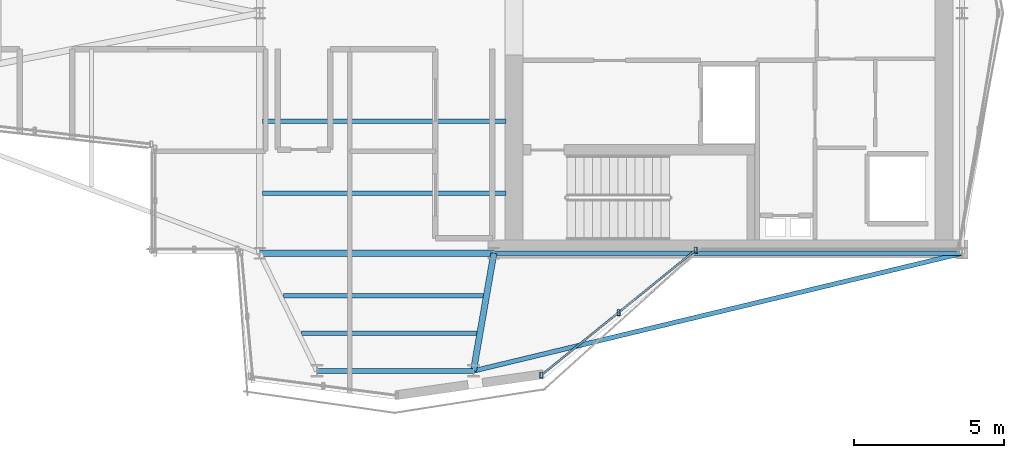
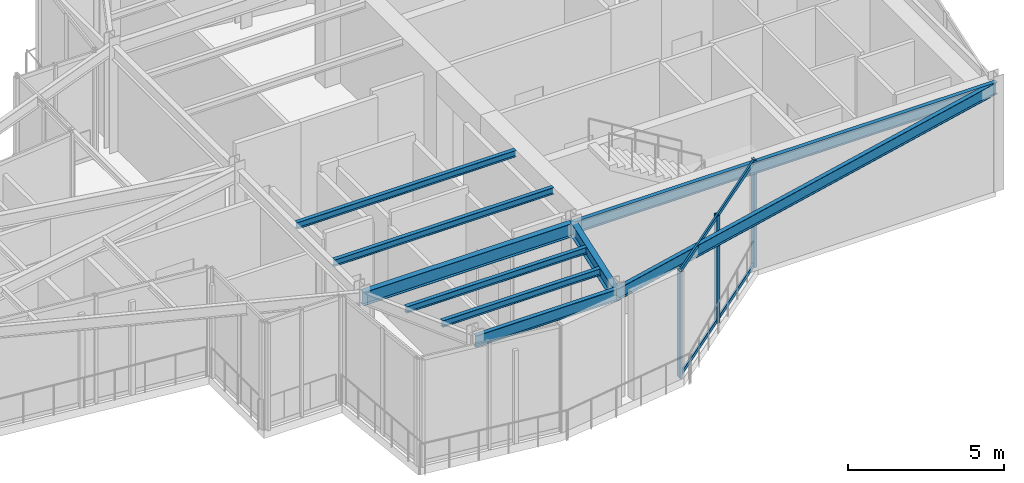
# One storey, part 3 of 14: 9 beams, 5 members, 1 element without a shape of its own.
"""IFC4 building model written with IfcOpenShell, lengths in metres."""

import ifcopenshell
import ifcopenshell.guid

model = None  # the IFC model being written
_history = None  # IfcOwnerHistory: only IFC2X3 demands one
_inside = {}  # id of a spatial element -> (the spatial element, [elements in it])
_under = {}  # id of a project, library or spatial element -> (it, [spatial elements below it])
_declared = {}  # id of a project -> (the project, [libraries it declares])
_typed = {}  # id of a type object -> (the type object, [elements of that type])
_made_of = {}  # id of a material, layer set ... -> (it, [elements and type objects made of it])


def new_model(schema):
    """Start an empty IFC model of exactly this schema.

    Asked for "IFC4X3", IfcOpenShell would pick the latest addendum, in which some entities
    have other attributes; the version numbers below select the first issue.
    IFC2X3 requires an IfcOwnerHistory on every rooted entity: one is made here for all.
    """
    global model, _history
    if schema == "IFC4X3":
        model = ifcopenshell.file(schema_version=(4, 3, 0, 0))
    else:
        model = ifcopenshell.file(schema=schema)
    _inside.clear()
    _under.clear()
    _declared.clear()
    _typed.clear()
    _made_of.clear()
    _history = None
    if model.schema == "IFC2X3":
        org = make("IfcOrganization", Name="unknown")
        user = make(
            "IfcPersonAndOrganization",
            ThePerson=make("IfcPerson", FamilyName="unknown"),
            TheOrganization=org,
        )
        app = make(
            "IfcApplication",
            ApplicationDeveloper=org,
            Version="unknown",
            ApplicationFullName="unknown",
            ApplicationIdentifier="unknown",
        )
        _history = make(
            "IfcOwnerHistory",
            OwningUser=user,
            OwningApplication=app,
            ChangeAction="ADDED",
            CreationDate=0,
        )
    return model


def make(cls, **values):
    """One entity of the class cls with the attributes given. An attribute that is None is left unset."""
    return model.create_entity(
        cls, **{name: value for name, value in values.items() if value is not None}
    )


def rooted(cls, **values):
    """An entity with a GlobalId (a new one), such as an element, a storey or a relation."""
    return make(cls, GlobalId=ifcopenshell.guid.new(), OwnerHistory=_history, **values)


def si_unit(unit_type, name, prefix=None):
    """IfcSIUnit, for example si_unit("LENGTHUNIT", "METRE", prefix="MILLI")."""
    return make("IfcSIUnit", UnitType=unit_type, Prefix=prefix, Name=name)


def assignment(units):
    """IfcUnitAssignment: the units of a project."""
    return None if units is None else make("IfcUnitAssignment", Units=units)


def point(xyz):
    """IfcCartesianPoint."""
    return None if xyz is None else make("IfcCartesianPoint", Coordinates=xyz)


def direction(xyz):
    """IfcDirection."""
    return None if xyz is None else make("IfcDirection", DirectionRatios=xyz)


def frame(location, z_axis=None, x_axis=None):
    """IfcAxis2Placement3D, a coordinate frame: its origin and axes. An axis left out is left unset."""
    return make(
        "IfcAxis2Placement3D",
        Location=point(location),
        Axis=direction(z_axis),
        RefDirection=direction(x_axis),
    )


def frame_2d(location, x_axis=None):
    """IfcAxis2Placement2D, a coordinate frame in the plane: its origin and x axis."""
    return make(
        "IfcAxis2Placement2D", Location=point(location), RefDirection=direction(x_axis)
    )


def origin():
    """The frame at (0, 0, 0) with its axes left unset."""
    return frame((0.0, 0.0, 0.0))


def origin_2d():
    """The frame at (0, 0) in the plane with its x axis left unset."""
    return frame_2d((0.0, 0.0))


def place(relative_to, where):
    """IfcLocalPlacement: puts the frame where relative to a parent placement (None: the world)."""
    return make(
        "IfcLocalPlacement", PlacementRelTo=relative_to, RelativePlacement=where
    )


def context(
    kind, dimensions, precision=None, world=None, true_north=None, identifier=None
):
    """IfcGeometricRepresentationContext, for example the 3D "Model" context."""
    return make(
        "IfcGeometricRepresentationContext",
        ContextIdentifier=identifier,
        ContextType=kind,
        CoordinateSpaceDimension=dimensions,
        Precision=precision,
        WorldCoordinateSystem=world,
        TrueNorth=true_north,
    )


def subcontext(parent, identifier, kind, view, scale=None):
    """IfcGeometricRepresentationSubContext, for example "Body" below "Model"."""
    return make(
        "IfcGeometricRepresentationSubContext",
        ContextIdentifier=identifier,
        ContextType=kind,
        ParentContext=parent,
        TargetScale=scale,
        TargetView=view,
    )


def project(units=None, contexts=None):
    """IfcProject with its units and contexts."""
    return rooted(
        "IfcProject",
        Name="project",
        RepresentationContexts=contexts,
        UnitsInContext=assignment(units),
    )


def spatial(cls, under=None, at=None, **own):
    """A site, building, storey or space (cls), placed at a placement, below another one or the project."""
    s = rooted(cls, ObjectPlacement=at, **own)
    if under is not None:
        _under.setdefault(under.id(), (under, []))[1].append(s)
    return s


def profile(cls, at=None, kind="AREA", **sizes):
    """A parametric profile (cls). Its sizes go by their IFC names, for example OverallWidth=200.0."""
    return make(cls, ProfileType=kind, Position=at, **sizes)


def hollow_rectangle(**sizes):
    """IfcRectangleHollowProfileDef."""
    return profile("IfcRectangleHollowProfileDef", **sizes)


def i_section(**sizes):
    """IfcIShapeProfileDef."""
    return profile("IfcIShapeProfileDef", **sizes)


def extrude(swept, where, along, depth):
    """IfcExtrudedAreaSolid: the profile swept, set in the frame where, extruded along a direction by depth."""
    return make(
        "IfcExtrudedAreaSolid",
        SweptArea=swept,
        Position=where,
        ExtrudedDirection=direction(along),
        Depth=depth,
    )


def shape(context_of_items, identifier, shape_type, items):
    """IfcShapeRepresentation: the items that make up one representation, for example the "Body"."""
    return make(
        "IfcShapeRepresentation",
        ContextOfItems=context_of_items,
        RepresentationIdentifier=identifier,
        RepresentationType=shape_type,
        Items=items,
    )


def material(Name=None, Category=None):
    """IfcMaterial."""
    return make("IfcMaterial", Name=Name, Category=Category)


def layer(
    of_material, thickness, ventilated=None, Name=None, Category=None, Priority=None
):
    """IfcMaterialLayer: one layer of a wall or slab, of a material (None: an air gap)."""
    return make(
        "IfcMaterialLayer",
        Material=of_material,
        LayerThickness=thickness,
        IsVentilated=ventilated,
        Name=Name,
        Category=Category,
        Priority=Priority,
    )


def layer_set(layers, Name=None):
    """IfcMaterialLayerSet."""
    return make("IfcMaterialLayerSet", MaterialLayers=layers, LayerSetName=Name)


def material_profile(
    of_material, cross_section, Name=None, Category=None, Priority=None
):
    """IfcMaterialProfile: a cross section and its material."""
    return make(
        "IfcMaterialProfile",
        Name=Name,
        Material=of_material,
        Profile=cross_section,
        Priority=Priority,
        Category=Category,
    )


def profile_set(profiles, Name=None, composite=None):
    """IfcMaterialProfileSet."""
    return make(
        "IfcMaterialProfileSet",
        Name=Name,
        MaterialProfiles=profiles,
        CompositeProfile=composite,
    )


def made_of(thing, what):
    """Note that an element or type object is made of a material, layer set ...; save() writes the relation."""
    if what is not None:
        _made_of.setdefault(what.id(), (what, []))[1].append(thing)
    return thing


def type_object(cls, material=None, **own):
    """A type object (cls), such as IfcWallType, which elements share."""
    return made_of(rooted(cls, **own), material)


def element(
    cls,
    number,
    at=None,
    inside=None,
    cuts=None,
    type_object=None,
    material=None,
    context=None,
    identifier="Body",
    shape_type=None,
    held_by="IfcProductDefinitionShape",
    body=None,
    shapes=None,
    **own,
):
    """One element of the class cls, such as IfcWall. Its Tag is "e" and its number.

    at: its placement. inside: the storey or other place that contains it. cuts: it is an
    opening in that element (IfcRelVoidsElement). A single representation is given by context,
    identifier, shape_type and body (its items); several are given by shapes. held_by: the class
    of the entity that holds the representations. save() writes the other relations.
    """
    e = rooted(cls, Tag="e%d" % number, ObjectPlacement=at, **own)
    if body is not None:
        shapes = [shape(context, identifier, shape_type, body)]
    if shapes is not None:
        e.Representation = make(held_by, Representations=shapes)
    if inside is not None:
        _inside.setdefault(inside.id(), (inside, []))[1].append(e)
    if cuts is not None:
        rooted(
            "IfcRelVoidsElement", RelatingBuildingElement=cuts, RelatedOpeningElement=e
        )
    if type_object is not None:
        _typed.setdefault(type_object.id(), (type_object, []))[1].append(e)
    return made_of(e, material)


def aggregate(whole, parts):
    """IfcRelAggregates: a whole, such as a stair, and the parts it consists of."""
    return rooted("IfcRelAggregates", RelatingObject=whole, RelatedObjects=parts)


def save(model, path):
    """Write the relations noted so far, then the file.

    IfcRelAggregates (storeys below a building ...), IfcRelContainedInSpatialStructure (elements
    in a storey), IfcRelDefinesByType, IfcRelAssociatesMaterial and IfcRelDeclares: one each for
    every whole, place, type object, material and project.
    """
    for whole, parts in _under.values():
        aggregate(whole, parts)
    for where, things in _inside.values():
        rooted(
            "IfcRelContainedInSpatialStructure",
            RelatedElements=things,
            RelatingStructure=where,
        )
    for kind, things in _typed.values():
        rooted("IfcRelDefinesByType", RelatedObjects=things, RelatingType=kind)
    for what, things in _made_of.values():
        rooted("IfcRelAssociatesMaterial", RelatedObjects=things, RelatingMaterial=what)
    for by, libraries in _declared.values():
        rooted("IfcRelDeclares", RelatingContext=by, RelatedDefinitions=libraries)
    model.write(path)


model = new_model("IFC4")

# Units and contexts
model_context = context("Model", 3, precision=1e-05, world=origin(), true_north=direction((0.0, 1.0)))
body_context = subcontext(model_context, "Body", "Model", "MODEL_VIEW")
ifc_project = project(units=[si_unit("LENGTHUNIT", "METRE"), si_unit("AREAUNIT", "SQUARE_METRE"), si_unit("VOLUMEUNIT", "CUBIC_METRE"), si_unit("PLANEANGLEUNIT", "RADIAN"), si_unit("MASSUNIT", "GRAM", prefix="KILO")], contexts=[model_context])

# Site, building, storey
site_placement = place(None, origin())
site = spatial("IfcSite", under=ifc_project, at=site_placement, CompositionType="ELEMENT")
building_placement = place(site_placement, origin())
building = spatial("IfcBuilding", under=site, at=building_placement, Name="Veymaron Broadcast Tower", CompositionType="ELEMENT")
storey_placement = place(building_placement, frame((0.0, 0.0, 332.39990234375)))
storey = spatial("IfcBuildingStorey", under=building, at=storey_placement, Name="L78", CompositionType="ELEMENT", Elevation=332.39990234375)

# Beams
ifc_material_1 = material(Name="Structural steel ASTM A992 Gr 50", Category="steel")
ifc_material_profile_1 = material_profile(ifc_material_1, i_section(OverallWidth=0.208984375, OverallDepth=0.528076171875, WebThickness=0.009521484375, FlangeThickness=0.01318359375, at=origin_2d()), Name="W530X82")
ifc_profile_set_1 = profile_set([ifc_material_profile_1], Name="Structural steel ASTM A992 Gr 50")
beam_type_1 = type_object("IfcBeamType", Name="BM-FG4", PredefinedType="BEAM", material=ifc_profile_set_1)
beam_1_placement = place(storey_placement, frame((31.199951171875, 16.0, 3.916015625), z_axis=(1.0, 0.0, 0.0), x_axis=(0.0, 1.0, 0.0)))
element("IfcBeam", 1, at=beam_1_placement, inside=storey, type_object=beam_type_1, Name="L78 primary structural floor girder", PredefinedType="BEAM", context=body_context, shape_type="SweptSolid", body=[
    extrude(i_section(OverallWidth=0.208984375, OverallDepth=0.528076171875, WebThickness=0.009521484375, FlangeThickness=0.01318359375, at=origin_2d()), origin(), (0.0, 0.0, 1.0), 7.800048828125),
])
beam_2_placement = place(storey_placement, frame((39.0, 16.0, 3.916015625), z_axis=(-0.170903490874, -0.985287773601, 0.0), x_axis=(0.985287773601, -0.170903490874, 0.0)))
element("IfcBeam", 2, at=beam_2_placement, inside=storey, type_object=beam_type_1, Name="L78 primary structural floor girder", PredefinedType="BEAM", context=body_context, shape_type="SweptSolid", body=[
    extrude(i_section(OverallWidth=0.208984375, OverallDepth=0.528076171875, WebThickness=0.009521484375, FlangeThickness=0.01318359375, at=origin_2d()), origin(), (0.0, 0.0, 1.0), 3.978515625),
])
ifc_material_profile_2 = material_profile(ifc_material_1, i_section(OverallWidth=0.14599609375, OverallDepth=0.258056640625, WebThickness=0.006103515625, FlangeThickness=0.009033203125, at=origin_2d()), Name="W250X33")
ifc_profile_set_2 = profile_set([ifc_material_profile_2], Name="Structural steel ASTM A992 Gr 50")
beam_type_2 = type_object("IfcBeamType", Name="BM-JS4", PredefinedType="JOIST", material=ifc_profile_set_2)
beam_3_placement = place(storey_placement, frame((31.9853515625, 14.5888671875, 4.051025390625), z_axis=(1.0, 0.0, 0.0), x_axis=(0.0, 1.0, 0.0)))
element("IfcBeam", 3, at=beam_3_placement, inside=storey, type_object=beam_type_2, Name="L78 Arm-C secondary joist 1", PredefinedType="JOIST", context=body_context, shape_type="SweptSolid", body=[
    extrude(i_section(OverallWidth=0.14599609375, OverallDepth=0.258056640625, WebThickness=0.006103515625, FlangeThickness=0.009033203125, at=origin_2d()), origin(), (0.0, 0.0, 1.0), 6.669921875),
])
beam_4_placement = place(storey_placement, frame((32.5947265625, 13.33447265625, 4.051025390625), z_axis=(1.0, 0.0, 0.0), x_axis=(0.0, 1.0, 0.0)))
element("IfcBeam", 4, at=beam_4_placement, inside=storey, type_object=beam_type_2, Name="L78 Arm-C secondary joist 2", PredefinedType="JOIST", context=body_context, shape_type="SweptSolid", body=[
    extrude(i_section(OverallWidth=0.14599609375, OverallDepth=0.258056640625, WebThickness=0.006103515625, FlangeThickness=0.009033203125, at=origin_2d()), origin(), (0.0, 0.0, 1.0), 5.8427734375),
])
for number, where, z_axis, x_axis, name in (
    (5, (31.300048828125, 18.0, 4.051025390625), (1.0, 0.0, 0.0), (0.0, 1.0, 0.0), "L78 Hub secondary joist 1"),
    (6, (31.300048828125, 20.39990234375, 4.051025390625), (1.0, 0.0, 0.0), (0.0, 1.0, 0.0), "L78 Hub secondary joist 2"),
):
    element("IfcBeam", number, at=place(storey_placement, frame(where, z_axis=z_axis, x_axis=x_axis)), inside=storey, type_object=beam_type_2, Name=name, PredefinedType="JOIST", context=body_context, shape_type="SweptSolid", body=[
        extrude(i_section(OverallWidth=0.14599609375, OverallDepth=0.258056640625, WebThickness=0.006103515625, FlangeThickness=0.009033203125, at=origin_2d()), origin(), (0.0, 0.0, 1.0), 8.099853515625),
    ])
ifc_material_profile_3 = material_profile(ifc_material_1, i_section(OverallWidth=0.154052734375, OverallDepth=0.458984375, WebThickness=0.009033203125, FlangeThickness=0.015380859375, at=origin_2d()), Name="W460X68")
ifc_profile_set_3 = profile_set([ifc_material_profile_3], Name="Structural steel ASTM A992 Gr 50")
beam_type_3 = type_object("IfcBeamType", Name="BM-SP2", PredefinedType="SPANDREL", material=ifc_profile_set_3)
beam_5_placement = place(storey_placement, frame((39.0, 16.0, 3.95068359375), z_axis=(1.0, 0.0, 0.0), x_axis=(0.0, 1.0, 0.0)))
element("IfcBeam", 7, at=beam_5_placement, inside=storey, type_object=beam_type_3, Name="L78 primary structural floor girder", PredefinedType="SPANDREL", context=body_context, shape_type="SweptSolid", body=[
    extrude(i_section(OverallWidth=0.154052734375, OverallDepth=0.458984375, WebThickness=0.009033203125, FlangeThickness=0.015380859375, at=origin_2d()), origin(), (0.0, 0.0, 1.0), 15.60009765625),
])
beam_6_placement = place(storey_placement, frame((54.60009765625, 16.0, 3.95068359375), z_axis=(-0.972214727981, -0.23409084283, 0.0), x_axis=(0.23409084283, -0.972214727981, 0.0)))
element("IfcBeam", 8, at=beam_6_placement, inside=storey, type_object=beam_type_3, Name="L78 primary structural floor girder", PredefinedType="SPANDREL", context=body_context, shape_type="SweptSolid", body=[
    extrude(i_section(OverallWidth=0.154052734375, OverallDepth=0.458984375, WebThickness=0.009033203125, FlangeThickness=0.015380859375, at=origin_2d()), origin(), (0.0, 0.0, 1.0), 16.745361328125),
])
beam_7_placement = place(storey_placement, frame((33.10400390625, 12.080078125, 3.95068359375), z_axis=(1.0, 0.0, 0.0), x_axis=(0.0, 1.0, 0.0)))
element("IfcBeam", 9, at=beam_7_placement, inside=storey, type_object=beam_type_3, Name="L78 primary structural floor girder", PredefinedType="SPANDREL", context=body_context, shape_type="SweptSolid", body=[
    extrude(i_section(OverallWidth=0.154052734375, OverallDepth=0.458984375, WebThickness=0.009033203125, FlangeThickness=0.015380859375, at=origin_2d()), origin(), (0.0, 0.0, 1.0), 5.216064453125),
])

# Curtain wall, members
ifc_material_2 = material(Name="Anodised aluminium AA 6063-T6 and laminated low-E dark glass", Category="aluminium")
ifc_layer = layer(ifc_material_2, 0.179931640625)
ifc_layer_set = layer_set([ifc_layer], Name="Anodised aluminium AA 6063-T6 and laminated low-E dark glass")
curtain_wall_type = type_object("IfcCurtainWallType", Name="CW-SYS-07", PredefinedType="NOTDEFINED", material=ifc_layer_set)
curtain_wall_placement = place(storey_placement, origin())
curtain_wall = element("IfcCurtainWall", 10, at=curtain_wall_placement, inside=storey, type_object=curtain_wall_type, Name="L78 dark-glass curtain wall CW-L78-E20-1", PredefinedType="NOTDEFINED")
ifc_material_3 = material(Name="Anodised aluminium AA 6063-T6", Category="aluminium")
ifc_material_profile_4 = material_profile(ifc_material_3, hollow_rectangle(XDim=0.10009765625, YDim=0.199951171875, WallThickness=0.010009765625, at=origin_2d()), Name="RHS200X100X10")
ifc_profile_set_4 = profile_set([ifc_material_profile_4], Name="Anodised aluminium AA 6063-T6")
member_type_1 = type_object("IfcMemberType", Name="CW-MUL-01", PredefinedType="MULLION", material=ifc_profile_set_4)
member_1_placement = place(storey_placement, frame((40.58349609375, 11.94091796875, 0.0), z_axis=(0.0, 0.0, 1.0), x_axis=(1.0, 0.0, 0.0)))
member_1 = element("IfcMember", 11, at=member_1_placement, type_object=member_type_1, Name="CW-L78-E20-1 mullion 0", PredefinedType="MULLION", context=body_context, shape_type="SweptSolid", body=[
    extrude(hollow_rectangle(XDim=0.10009765625, YDim=0.199951171875, WallThickness=0.010009765625, at=origin_2d()), origin(), (0.0, 0.0, 1.0), 4.18017578125),
])
member_2_placement = place(storey_placement, frame((43.154296875, 14.02490234375, 0.0), z_axis=(0.0, 0.0, 1.0), x_axis=(1.0, 0.0, 0.0)))
member_2 = element("IfcMember", 12, at=member_2_placement, type_object=member_type_1, Name="CW-L78-E20-1 mullion 1", PredefinedType="MULLION", context=body_context, shape_type="SweptSolid", body=[
    extrude(hollow_rectangle(XDim=0.10009765625, YDim=0.199951171875, WallThickness=0.010009765625, at=origin_2d()), origin(), (0.0, 0.0, 1.0), 4.18017578125),
])
member_3_placement = place(storey_placement, frame((45.724853515625, 16.10888671875, 0.0), z_axis=(0.0, 0.0, 1.0), x_axis=(1.0, 0.0, 0.0)))
member_3 = element("IfcMember", 13, at=member_3_placement, type_object=member_type_1, Name="CW-L78-E20-1 mullion 2", PredefinedType="MULLION", context=body_context, shape_type="SweptSolid", body=[
    extrude(hollow_rectangle(XDim=0.10009765625, YDim=0.199951171875, WallThickness=0.010009765625, at=origin_2d()), origin(), (0.0, 0.0, 1.0), 4.18017578125),
])
ifc_material_profile_5 = material_profile(ifc_material_3, hollow_rectangle(XDim=0.06494140625, YDim=0.14990234375, WallThickness=0.00390625, at=origin_2d()), Name="AL150X65X4")
ifc_profile_set_5 = profile_set([ifc_material_profile_5], Name="Anodised aluminium AA 6063-T6")
member_type_2 = type_object("IfcMemberType", Name="CW-TRN-01", PredefinedType="USERDEFINED", material=ifc_profile_set_5)
member_4_placement = place(storey_placement, frame((40.622314453125, 11.972412109375, 0.070068359375), z_axis=(0.776811207075, 0.629733553626, 0.0), x_axis=(-0.629733553626, 0.776811207075, 0.0)))
member_4 = element("IfcMember", 14, at=member_4_placement, type_object=member_type_2, Name="CW-L78-E20-1 transom B", ObjectType="TRANSOM", PredefinedType="USERDEFINED", context=body_context, shape_type="SweptSolid", body=[
    extrude(hollow_rectangle(XDim=0.06494140625, YDim=0.14990234375, WallThickness=0.00390625, at=origin_2d()), origin(), (0.0, 0.0, 1.0), 6.5185546875),
])
member_5_placement = place(storey_placement, frame((40.622314453125, 11.972412109375, 4.110107421875), z_axis=(0.776811207075, 0.629733553626, 0.0), x_axis=(-0.629733553626, 0.776811207075, 0.0)))
member_5 = element("IfcMember", 15, at=member_5_placement, type_object=member_type_2, Name="CW-L78-E20-1 transom T", ObjectType="TRANSOM", PredefinedType="USERDEFINED", context=body_context, shape_type="SweptSolid", body=[
    extrude(hollow_rectangle(XDim=0.06494140625, YDim=0.14990234375, WallThickness=0.00390625, at=origin_2d()), origin(), (0.0, 0.0, 1.0), 6.5185546875),
])
aggregate(curtain_wall, [member_1, member_2, member_3, member_4, member_5])

save(model, "model.ifc")
